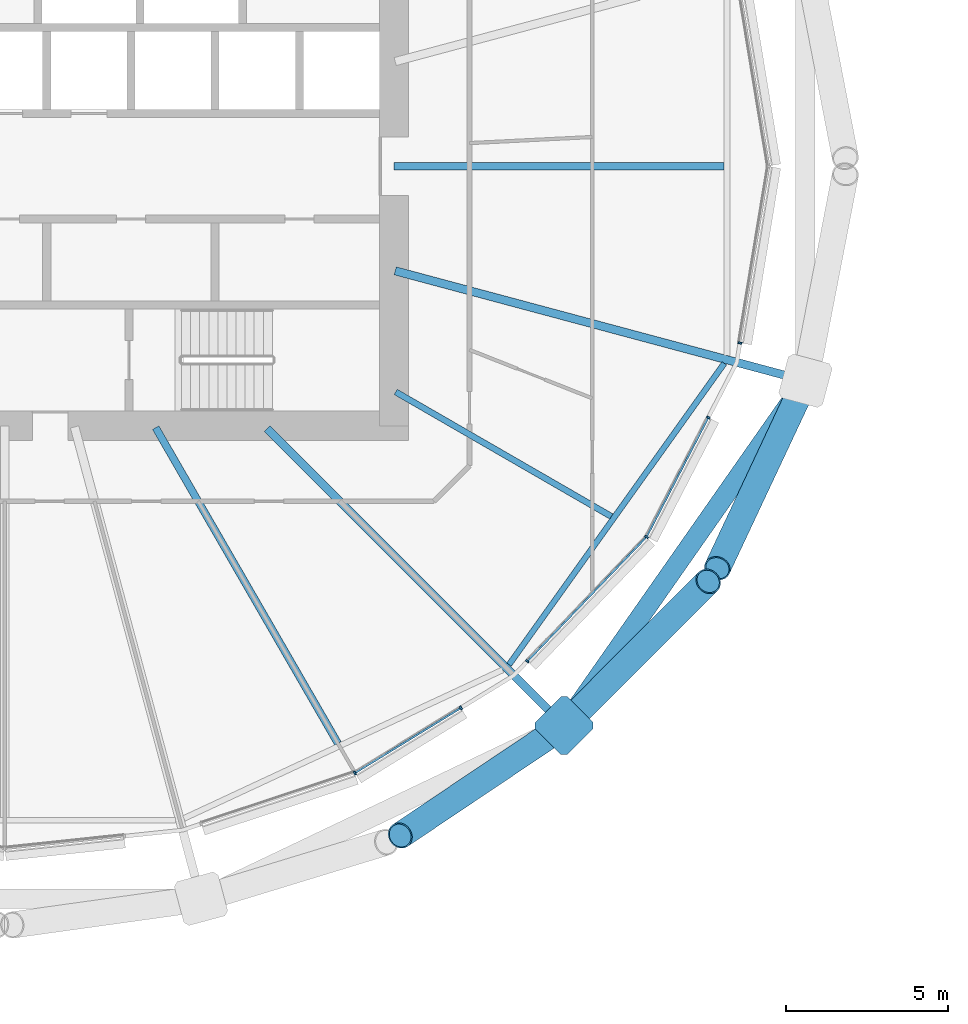
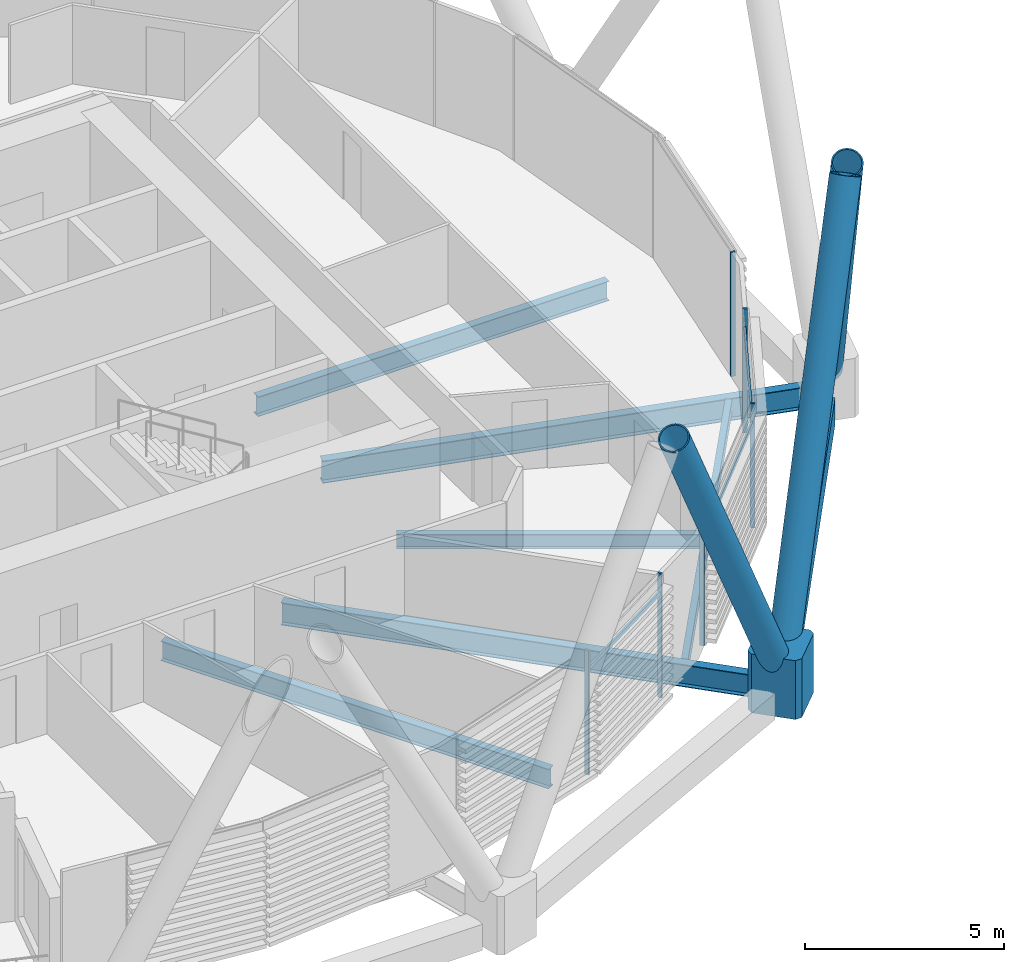
# One storey, part 6 of 36: 13 members, 7 beams, 1 element without a shape of its own.
"""IFC4 building model written with IfcOpenShell, lengths in metres."""

import ifcopenshell
import ifcopenshell.guid

model = None  # the IFC model being written
_history = None  # IfcOwnerHistory: only IFC2X3 demands one
_inside = {}  # id of a spatial element -> (the spatial element, [elements in it])
_under = {}  # id of a project, library or spatial element -> (it, [spatial elements below it])
_declared = {}  # id of a project -> (the project, [libraries it declares])
_typed = {}  # id of a type object -> (the type object, [elements of that type])
_made_of = {}  # id of a material, layer set ... -> (it, [elements and type objects made of it])


def new_model(schema):
    """Start an empty IFC model of exactly this schema.

    Asked for "IFC4X3", IfcOpenShell would pick the latest addendum, in which some entities
    have other attributes; the version numbers below select the first issue.
    IFC2X3 requires an IfcOwnerHistory on every rooted entity: one is made here for all.
    """
    global model, _history
    if schema == "IFC4X3":
        model = ifcopenshell.file(schema_version=(4, 3, 0, 0))
    else:
        model = ifcopenshell.file(schema=schema)
    _inside.clear()
    _under.clear()
    _declared.clear()
    _typed.clear()
    _made_of.clear()
    _history = None
    if model.schema == "IFC2X3":
        org = make("IfcOrganization", Name="unknown")
        user = make(
            "IfcPersonAndOrganization",
            ThePerson=make("IfcPerson", FamilyName="unknown"),
            TheOrganization=org,
        )
        app = make(
            "IfcApplication",
            ApplicationDeveloper=org,
            Version="unknown",
            ApplicationFullName="unknown",
            ApplicationIdentifier="unknown",
        )
        _history = make(
            "IfcOwnerHistory",
            OwningUser=user,
            OwningApplication=app,
            ChangeAction="ADDED",
            CreationDate=0,
        )
    return model


def make(cls, **values):
    """One entity of the class cls with the attributes given. An attribute that is None is left unset."""
    return model.create_entity(
        cls, **{name: value for name, value in values.items() if value is not None}
    )


def rooted(cls, **values):
    """An entity with a GlobalId (a new one), such as an element, a storey or a relation."""
    return make(cls, GlobalId=ifcopenshell.guid.new(), OwnerHistory=_history, **values)


def si_unit(unit_type, name, prefix=None):
    """IfcSIUnit, for example si_unit("LENGTHUNIT", "METRE", prefix="MILLI")."""
    return make("IfcSIUnit", UnitType=unit_type, Prefix=prefix, Name=name)


def assignment(units):
    """IfcUnitAssignment: the units of a project."""
    return None if units is None else make("IfcUnitAssignment", Units=units)


def point(xyz):
    """IfcCartesianPoint."""
    return None if xyz is None else make("IfcCartesianPoint", Coordinates=xyz)


def direction(xyz):
    """IfcDirection."""
    return None if xyz is None else make("IfcDirection", DirectionRatios=xyz)


def frame(location, z_axis=None, x_axis=None):
    """IfcAxis2Placement3D, a coordinate frame: its origin and axes. An axis left out is left unset."""
    return make(
        "IfcAxis2Placement3D",
        Location=point(location),
        Axis=direction(z_axis),
        RefDirection=direction(x_axis),
    )


def frame_2d(location, x_axis=None):
    """IfcAxis2Placement2D, a coordinate frame in the plane: its origin and x axis."""
    return make(
        "IfcAxis2Placement2D", Location=point(location), RefDirection=direction(x_axis)
    )


def origin():
    """The frame at (0, 0, 0) with its axes left unset."""
    return frame((0.0, 0.0, 0.0))


def origin_2d():
    """The frame at (0, 0) in the plane with its x axis left unset."""
    return frame_2d((0.0, 0.0))


def place(relative_to, where):
    """IfcLocalPlacement: puts the frame where relative to a parent placement (None: the world)."""
    return make(
        "IfcLocalPlacement", PlacementRelTo=relative_to, RelativePlacement=where
    )


def context(
    kind, dimensions, precision=None, world=None, true_north=None, identifier=None
):
    """IfcGeometricRepresentationContext, for example the 3D "Model" context."""
    return make(
        "IfcGeometricRepresentationContext",
        ContextIdentifier=identifier,
        ContextType=kind,
        CoordinateSpaceDimension=dimensions,
        Precision=precision,
        WorldCoordinateSystem=world,
        TrueNorth=true_north,
    )


def subcontext(parent, identifier, kind, view, scale=None):
    """IfcGeometricRepresentationSubContext, for example "Body" below "Model"."""
    return make(
        "IfcGeometricRepresentationSubContext",
        ContextIdentifier=identifier,
        ContextType=kind,
        ParentContext=parent,
        TargetScale=scale,
        TargetView=view,
    )


def project(units=None, contexts=None):
    """IfcProject with its units and contexts."""
    return rooted(
        "IfcProject",
        Name="project",
        RepresentationContexts=contexts,
        UnitsInContext=assignment(units),
    )


def spatial(cls, under=None, at=None, **own):
    """A site, building, storey or space (cls), placed at a placement, below another one or the project."""
    s = rooted(cls, ObjectPlacement=at, **own)
    if under is not None:
        _under.setdefault(under.id(), (under, []))[1].append(s)
    return s


def polyline(points):
    """IfcPolyline through the points."""
    return make("IfcPolyline", Points=[point(p) for p in points])


def profile(cls, at=None, kind="AREA", **sizes):
    """A parametric profile (cls). Its sizes go by their IFC names, for example OverallWidth=200.0."""
    return make(cls, ProfileType=kind, Position=at, **sizes)


def rectangle(**sizes):
    """IfcRectangleProfileDef."""
    return profile("IfcRectangleProfileDef", **sizes)


def hollow_rectangle(**sizes):
    """IfcRectangleHollowProfileDef."""
    return profile("IfcRectangleHollowProfileDef", **sizes)


def hollow_circle(**sizes):
    """IfcCircleHollowProfileDef."""
    return profile("IfcCircleHollowProfileDef", **sizes)


def i_section(**sizes):
    """IfcIShapeProfileDef."""
    return profile("IfcIShapeProfileDef", **sizes)


def outline(outer, holes=None, kind="AREA"):
    """IfcArbitraryClosedProfileDef: a profile drawn as a closed curve; with holes, ...WithVoids."""
    if holes is None:
        return make("IfcArbitraryClosedProfileDef", ProfileType=kind, OuterCurve=outer)
    return make(
        "IfcArbitraryProfileDefWithVoids",
        ProfileType=kind,
        OuterCurve=outer,
        InnerCurves=holes,
    )


def extrude(swept, where, along, depth):
    """IfcExtrudedAreaSolid: the profile swept, set in the frame where, extruded along a direction by depth."""
    return make(
        "IfcExtrudedAreaSolid",
        SweptArea=swept,
        Position=where,
        ExtrudedDirection=direction(along),
        Depth=depth,
    )


def shape(context_of_items, identifier, shape_type, items):
    """IfcShapeRepresentation: the items that make up one representation, for example the "Body"."""
    return make(
        "IfcShapeRepresentation",
        ContextOfItems=context_of_items,
        RepresentationIdentifier=identifier,
        RepresentationType=shape_type,
        Items=items,
    )


def material(Name=None, Category=None):
    """IfcMaterial."""
    return make("IfcMaterial", Name=Name, Category=Category)


def material_profile(
    of_material, cross_section, Name=None, Category=None, Priority=None
):
    """IfcMaterialProfile: a cross section and its material."""
    return make(
        "IfcMaterialProfile",
        Name=Name,
        Material=of_material,
        Profile=cross_section,
        Priority=Priority,
        Category=Category,
    )


def profile_set(profiles, Name=None, composite=None):
    """IfcMaterialProfileSet."""
    return make(
        "IfcMaterialProfileSet",
        Name=Name,
        MaterialProfiles=profiles,
        CompositeProfile=composite,
    )


def made_of(thing, what):
    """Note that an element or type object is made of a material, layer set ...; save() writes the relation."""
    if what is not None:
        _made_of.setdefault(what.id(), (what, []))[1].append(thing)
    return thing


def type_object(cls, material=None, **own):
    """A type object (cls), such as IfcWallType, which elements share."""
    return made_of(rooted(cls, **own), material)


def element(
    cls,
    number,
    at=None,
    inside=None,
    cuts=None,
    type_object=None,
    material=None,
    context=None,
    identifier="Body",
    shape_type=None,
    held_by="IfcProductDefinitionShape",
    body=None,
    shapes=None,
    **own,
):
    """One element of the class cls, such as IfcWall. Its Tag is "e" and its number.

    at: its placement. inside: the storey or other place that contains it. cuts: it is an
    opening in that element (IfcRelVoidsElement). A single representation is given by context,
    identifier, shape_type and body (its items); several are given by shapes. held_by: the class
    of the entity that holds the representations. save() writes the other relations.
    """
    e = rooted(cls, Tag="e%d" % number, ObjectPlacement=at, **own)
    if body is not None:
        shapes = [shape(context, identifier, shape_type, body)]
    if shapes is not None:
        e.Representation = make(held_by, Representations=shapes)
    if inside is not None:
        _inside.setdefault(inside.id(), (inside, []))[1].append(e)
    if cuts is not None:
        rooted(
            "IfcRelVoidsElement", RelatingBuildingElement=cuts, RelatedOpeningElement=e
        )
    if type_object is not None:
        _typed.setdefault(type_object.id(), (type_object, []))[1].append(e)
    return made_of(e, material)


def aggregate(whole, parts):
    """IfcRelAggregates: a whole, such as a stair, and the parts it consists of."""
    return rooted("IfcRelAggregates", RelatingObject=whole, RelatedObjects=parts)


def save(model, path):
    """Write the relations noted so far, then the file.

    IfcRelAggregates (storeys below a building ...), IfcRelContainedInSpatialStructure (elements
    in a storey), IfcRelDefinesByType, IfcRelAssociatesMaterial and IfcRelDeclares: one each for
    every whole, place, type object, material and project.
    """
    for whole, parts in _under.values():
        aggregate(whole, parts)
    for where, things in _inside.values():
        rooted(
            "IfcRelContainedInSpatialStructure",
            RelatedElements=things,
            RelatingStructure=where,
        )
    for kind, things in _typed.values():
        rooted("IfcRelDefinesByType", RelatedObjects=things, RelatingType=kind)
    for what, things in _made_of.values():
        rooted("IfcRelAssociatesMaterial", RelatedObjects=things, RelatingMaterial=what)
    for by, libraries in _declared.values():
        rooted("IfcRelDeclares", RelatingContext=by, RelatedDefinitions=libraries)
    model.write(path)


model = new_model("IFC4")

# Units and contexts
model_context = context("Model", 3, precision=1e-05, world=origin(), true_north=direction((0.0, 1.0)))
body_context = subcontext(model_context, "Body", "Model", "MODEL_VIEW")
ifc_project = project(units=[si_unit("LENGTHUNIT", "METRE"), si_unit("AREAUNIT", "SQUARE_METRE"), si_unit("VOLUMEUNIT", "CUBIC_METRE"), si_unit("PLANEANGLEUNIT", "RADIAN"), si_unit("MASSUNIT", "GRAM", prefix="KILO")], contexts=[model_context])

# Site, building, storey
site_placement = place(None, origin())
site = spatial("IfcSite", under=ifc_project, at=site_placement, CompositionType="ELEMENT")
building_placement = place(site_placement, origin())
building = spatial("IfcBuilding", under=site, at=building_placement, Name="Rimbun Link Towers", CompositionType="ELEMENT")
storey_placement = place(building_placement, frame((0.0, 0.0, 64.199951171875)))
storey = spatial("IfcBuildingStorey", under=building, at=storey_placement, Name="L15", CompositionType="ELEMENT", Elevation=64.199951171875)

# Curtain wall, members
ifc_material_1 = material(Name="Aluminium 6063-T6 and low-iron glass", Category="aluminium")
curtain_wall_type = type_object("IfcCurtainWallType", Name="CW1 unitised vision wall", PredefinedType="NOTDEFINED", material=ifc_material_1)
curtain_wall_placement = place(storey_placement, origin())
curtain_wall = element("IfcCurtainWall", 1, at=curtain_wall_placement, inside=storey, type_object=curtain_wall_type, Name="CW1 L15 T1", PredefinedType="NOTDEFINED")
ifc_material_2 = material(Name="Aluminium 6063-T6", Category="aluminium")
ifc_material_profile_1 = material_profile(ifc_material_2, rectangle(XDim=0.1201171875, YDim=0.06005859375, at=origin_2d()), Name="MULLION 60X120")
ifc_profile_set_1 = profile_set([ifc_material_profile_1], Name="Aluminium 6063-T6")
member_type_1 = type_object("IfcMemberType", Name="CW1 mullion 60X120", PredefinedType="MULLION", material=ifc_profile_set_1)
member_1_placement = place(storey_placement, frame((-20.959716796875, -18.699951171875, 0.0), z_axis=(0.0, 0.0, 1.0), x_axis=(0.421698890318, -0.906735929532, 0.0)))
member_1 = element("IfcMember", 2, at=member_1_placement, type_object=member_type_1, Name="CW1 mullion", PredefinedType="MULLION", context=body_context, shape_type="SweptSolid", body=[
    extrude(rectangle(XDim=0.1201171875, YDim=0.06005859375, at=origin_2d()), origin(), (0.0, 0.0, 1.0), 3.800048828125),
])
member_2_placement = place(storey_placement, frame((-17.690185546875, -16.69287109375, 0.0), z_axis=(0.0, 0.0, 1.0), x_axis=(0.523239240316, -0.852185835011, 0.0)))
member_2 = element("IfcMember", 3, at=member_2_placement, type_object=member_type_1, Name="CW1 mullion", PredefinedType="MULLION", context=body_context, shape_type="SweptSolid", body=[
    extrude(rectangle(XDim=0.1201171875, YDim=0.06005859375, at=origin_2d()), origin(), (0.0, 0.0, 1.0), 3.800048828125),
])
member_3_placement = place(storey_placement, frame((-11.972412109375, -11.42529296875, 0.0), z_axis=(0.0, 0.0, 1.0), x_axis=(0.813351214919, -0.581772980801, 0.0)))
member_3 = element("IfcMember", 4, at=member_3_placement, type_object=member_type_1, Name="CW1 mullion", PredefinedType="MULLION", context=body_context, shape_type="SweptSolid", body=[
    extrude(rectangle(XDim=0.1201171875, YDim=0.06005859375, at=origin_2d()), origin(), (0.0, 0.0, 1.0), 3.800048828125),
])
member_4_placement = place(storey_placement, frame((-15.643798828125, -15.256103515625, 0.0), z_axis=(0.0, 0.0, 1.0), x_axis=(0.721854427226, -0.692044930546, 0.0)))
member_4 = element("IfcMember", 5, at=member_4_placement, type_object=member_type_1, Name="CW1 mullion", PredefinedType="MULLION", context=body_context, shape_type="SweptSolid", body=[
    extrude(rectangle(XDim=0.1201171875, YDim=0.06005859375, at=origin_2d()), origin(), (0.0, 0.0, 1.0), 3.800048828125),
])
member_5_placement = place(storey_placement, frame((-10.067138671875, -7.74462890625, 0.0), z_axis=(0.0, 0.0, 1.0), x_axis=(0.888148629228, -0.45955632125, 0.0)))
member_5 = element("IfcMember", 6, at=member_5_placement, type_object=member_type_1, Name="CW1 mullion", PredefinedType="MULLION", context=body_context, shape_type="SweptSolid", body=[
    extrude(rectangle(XDim=0.1201171875, YDim=0.06005859375, at=origin_2d()), origin(), (0.0, 0.0, 1.0), 3.800048828125),
])
member_6_placement = place(storey_placement, frame((-9.090576171875, -5.447265625, 0.0), z_axis=(0.0, 0.0, 1.0), x_axis=(0.986748097792, -0.162259642251, 0.0)))
member_6 = element("IfcMember", 7, at=member_6_placement, type_object=member_type_1, Name="CW1 mullion", PredefinedType="MULLION", context=body_context, shape_type="SweptSolid", body=[
    extrude(rectangle(XDim=0.1201171875, YDim=0.06005859375, at=origin_2d()), origin(), (0.0, 0.0, 1.0), 3.800048828125),
])
ifc_material_3 = material(Name="Aluminium 6063-T6", Category="aluminium")
ifc_material_profile_2 = material_profile(ifc_material_3, rectangle(XDim=0.06005859375, YDim=0.1201171875, at=origin_2d()), Name="TRANSOM 60X120")
ifc_profile_set_2 = profile_set([ifc_material_profile_2], Name="Aluminium 6063-T6")
member_type_2 = type_object("IfcMemberType", Name="CW1 transom 60X120", PredefinedType="USERDEFINED", material=ifc_profile_set_2)
member_7_placement = place(storey_placement, frame((-17.716796875, -16.706787109375, 3.199951171875), z_axis=(-0.852184905229, -0.523240754624, 0.0), x_axis=(0.523240754624, -0.852184905229, 0.0)))
member_7 = element("IfcMember", 8, at=member_7_placement, type_object=member_type_2, Name="CW1 transom", ObjectType="TRANSOM", PredefinedType="USERDEFINED", context=body_context, shape_type="SweptSolid", body=[
    extrude(rectangle(XDim=0.06005859375, YDim=0.1201171875, at=origin_2d()), origin(), (0.0, 0.0, 1.0), 3.76953125),
])
member_8_placement = place(storey_placement, frame((-12.0, -11.452392578125, 3.199951171875), z_axis=(-0.692056205714, -0.721843617505, 0.0), x_axis=(0.721843617505, -0.692056205714, 0.0)))
member_8 = element("IfcMember", 9, at=member_8_placement, type_object=member_type_2, Name="CW1 transom", ObjectType="TRANSOM", PredefinedType="USERDEFINED", context=body_context, shape_type="SweptSolid", body=[
    extrude(rectangle(XDim=0.06005859375, YDim=0.1201171875, at=origin_2d()), origin(), (0.0, 0.0, 1.0), 5.2373046875),
])
member_9_placement = place(storey_placement, frame((-10.08251953125, -7.770263671875, 3.199951171875), z_axis=(-0.45955652042, -0.888148526171, 0.0), x_axis=(0.888148526171, -0.45955652042, 0.0)))
member_9 = element("IfcMember", 10, at=member_9_placement, type_object=member_type_2, Name="CW1 transom", ObjectType="TRANSOM", PredefinedType="USERDEFINED", context=body_context, shape_type="SweptSolid", body=[
    extrude(rectangle(XDim=0.06005859375, YDim=0.1201171875, at=origin_2d()), origin(), (0.0, 0.0, 1.0), 4.076416015625),
])
aggregate(curtain_wall, [member_1, member_2, member_3, member_4, member_5, member_6, member_7, member_8, member_9])

# Members
ifc_material_4 = material(Name="Steel S460NH", Category="steel")
ifc_material_profile_3 = material_profile(ifc_material_4, hollow_circle(Radius=0.406494140625, WallThickness=0.0400390625, at=origin_2d()), Name="Diagrid diagonal CHS 813x40")
ifc_profile_set_3 = profile_set([ifc_material_profile_3], Name="Steel S460NH")
member_type_3 = type_object("IfcMemberType", Name="Diagrid diagonal CHS 813x40", PredefinedType="BRACE", material=ifc_profile_set_3)
member_10_placement = place(storey_placement, frame((-14.712890625, -17.37353515625, 0.437255859375), z_axis=(-0.402836641157, -0.270288559492, 0.874452248639), x_axis=(0.55716779245, -0.830399934403, 0.0)))
element("IfcMember", 11, at=member_10_placement, inside=storey, type_object=member_type_3, Name="Diagrid diagonal T1 L15-L18 21a", PredefinedType="BRACE", context=body_context, shape_type="SweptSolid", body=[
    extrude(hollow_circle(Radius=0.406494140625, WallThickness=0.0400390625, at=origin_2d()), origin(), (0.0, 0.0, 1.0), 12.036865234375),
])
member_11_placement = place(storey_placement, frame((-14.335693359375, -17.062744140625, 0.433837890625), z_axis=(0.351368113295, 0.351669803146, 0.867680124536), x_axis=(-0.707410151948, 0.706803280214, 0.0)))
element("IfcMember", 12, at=member_11_placement, inside=storey, type_object=member_type_3, Name="Diagrid diagonal T1 L15-L18 21b", PredefinedType="BRACE", context=body_context, shape_type="SweptSolid", body=[
    extrude(hollow_circle(Radius=0.406494140625, WallThickness=0.0400390625, at=origin_2d()), origin(), (0.0, 0.0, 1.0), 12.138671875),
])
member_12_placement = place(storey_placement, frame((-7.180908203125, -6.839599609375, 0.43212890625), z_axis=(-0.213846772406, -0.455330606614, 0.864258987001), x_axis=(0.905145044883, -0.425102867226, 0.0)))
element("IfcMember", 13, at=member_12_placement, inside=storey, type_object=member_type_3, Name="Diagrid diagonal T1 L15-L18 23a", PredefinedType="BRACE", context=body_context, shape_type="SweptSolid", body=[
    extrude(hollow_circle(Radius=0.406494140625, WallThickness=0.0400390625, at=origin_2d()), origin(), (0.0, 0.0, 1.0), 12.190673828125),
])
ifc_material_5 = material(Name="Cast steel G20Mn5+QT, Rp0.2 300 MPa", Category="steel")
ifc_material_profile_4 = material_profile(ifc_material_5, outline(polyline([(0.699951171875, -0.570068359375), (0.699951171875, 0.570068359375), (0.570068359375, 0.699951171875), (-0.570068359375, 0.699951171875), (-0.699951171875, 0.570068359375), (-0.699951171875, -0.570068359375), (-0.570068359375, -0.699951171875), (0.570068359375, -0.699951171875), (0.699951171875, -0.570068359375)])), Name="NODE 1400x1400")
ifc_profile_set_4 = profile_set([ifc_material_profile_4], Name="Cast steel G20Mn5+QT, Rp0.2 300 MPa")
member_type_4 = type_object("IfcMemberType", Name="Diagrid node cast 1400", PredefinedType="USERDEFINED", material=ifc_profile_set_4)
member_13_placement = place(storey_placement, frame((-14.511474609375, -17.238525390625, -0.89990234375), z_axis=(0.0, 0.0, 1.0), x_axis=(0.707106781187, -0.707106781187, 0.0)))
element("IfcMember", 14, at=member_13_placement, inside=storey, type_object=member_type_4, Name="Diagrid node L15 21", ObjectType="Diagrid node", PredefinedType="USERDEFINED", context=body_context, shape_type="SweptSolid", body=[
    extrude(outline(polyline([(0.699951171875, -0.570068359375), (0.699951171875, 0.570068359375), (0.570068359375, 0.699951171875), (-0.570068359375, 0.699951171875), (-0.699951171875, 0.570068359375), (-0.699951171875, -0.570068359375), (-0.570068359375, -0.699951171875), (0.570068359375, -0.699951171875), (0.699951171875, -0.570068359375)])), origin(), (0.0, 0.0, 1.0), 1.800048828125),
])

# Beams
ifc_material_6 = material(Name="Steel S355J2", Category="steel")
ifc_material_profile_5 = material_profile(ifc_material_6, hollow_rectangle(XDim=0.60009765625, YDim=0.800048828125, WallThickness=0.0400390625, at=origin_2d()), Name="Exoskeleton ring girder BOX 600x800x40")
ifc_profile_set_5 = profile_set([ifc_material_profile_5], Name="Steel S355J2")
beam_type_1 = type_object("IfcBeamType", Name="Exoskeleton ring girder BOX 600x800x40", PredefinedType="BEAM", material=ifc_profile_set_5)
beam_1_placement = place(storey_placement, frame((-14.110107421875, -16.6650390625, -0.56005859375), z_axis=(0.573401451452, 0.819274542185, 0.0), x_axis=(-0.819274542185, 0.573401451452, 0.0)))
element("IfcBeam", 15, at=beam_1_placement, inside=storey, type_object=beam_type_1, Name="Exoskeleton ring girder L15 08", PredefinedType="BEAM", context=body_context, shape_type="SweptSolid", body=[
    extrude(hollow_rectangle(XDim=0.60009765625, YDim=0.800048828125, WallThickness=0.0400390625, at=origin_2d()), origin(), (0.0, 0.0, 1.0), 11.57080078125),
])
ifc_material_7 = material(Name="Steel S355J2", Category="steel")
ifc_material_profile_6 = material_profile(ifc_material_7, i_section(OverallWidth=0.177978515625, OverallDepth=0.406494140625, WebThickness=0.0078125, FlangeThickness=0.0126953125, at=origin_2d()), Name="UB 406x178x60")
ifc_profile_set_6 = profile_set([ifc_material_profile_6], Name="Steel S355J2")
beam_type_2 = type_object("IfcBeamType", Name="UB 406x178x60", PredefinedType="BEAM", material=ifc_profile_set_6)
beam_2_placement = place(storey_placement, frame((-16.208740234375, -15.3603515625, -0.363037109375), z_axis=(0.581367694083, 0.813640955383, 0.0), x_axis=(-0.813640955383, 0.581367694083, 0.0)))
element("IfcBeam", 16, at=beam_2_placement, inside=storey, type_object=beam_type_2, Name="Edge beam T1 L15 21-23", PredefinedType="BEAM", context=body_context, shape_type="SweptSolid", body=[
    extrude(i_section(OverallWidth=0.177978515625, OverallDepth=0.406494140625, WebThickness=0.0078125, FlangeThickness=0.0126953125, at=origin_2d()), origin(), (0.0, 0.0, 1.0), 11.412841796875),
])
ifc_material_8 = material(Name="Steel S355J2", Category="steel")
ifc_material_profile_7 = material_profile(ifc_material_8, i_section(OverallWidth=0.18994140625, OverallDepth=0.453369140625, WebThickness=0.008544921875, FlangeThickness=0.0126953125, at=origin_2d()), Name="UB 457x191x67")
ifc_profile_set_7 = profile_set([ifc_material_profile_7], Name="Steel S355J2")
beam_type_3 = type_object("IfcBeamType", Name="UB 457x191x67", PredefinedType="BEAM", material=ifc_profile_set_7)
beam_3_placement = place(storey_placement, frame((-19.70166015625, -6.9560546875, -0.38671875), z_axis=(0.866012339475, -0.500022627366, 0.0), x_axis=(0.500022627366, 0.866012339475, 0.0)))
element("IfcBeam", 17, at=beam_3_placement, inside=storey, type_object=beam_type_3, Name="Radial beam T1 L15 22", PredefinedType="BEAM", context=body_context, shape_type="SweptSolid", body=[
    extrude(i_section(OverallWidth=0.18994140625, OverallDepth=0.453369140625, WebThickness=0.008544921875, FlangeThickness=0.0126953125, at=origin_2d()), origin(), (0.0, 0.0, 1.0), 7.674072265625),
])
ifc_material_9 = material(Name="Steel S355J2", Category="steel")
ifc_material_profile_8 = material_profile(ifc_material_9, i_section(OverallWidth=0.2275390625, OverallDepth=0.6025390625, WebThickness=0.010498046875, FlangeThickness=0.014892578125, at=origin_2d()), Name="UB 610x229x101")
ifc_profile_set_8 = profile_set([ifc_material_profile_8], Name="Steel S355J2")
beam_type_4 = type_object("IfcBeamType", Name="UB 610x229x101", PredefinedType="BEAM", material=ifc_profile_set_8)
beam_4_placement = place(storey_placement, frame((-19.7490234375, 0.0, -0.461181640625), z_axis=(1.0, 0.0, 0.0), x_axis=(0.0, 1.0, 0.0)))
element("IfcBeam", 18, at=beam_4_placement, inside=storey, type_object=beam_type_4, Name="Radial beam T1 L15 00", PredefinedType="BEAM", context=body_context, shape_type="SweptSolid", body=[
    extrude(i_section(OverallWidth=0.2275390625, OverallDepth=0.6025390625, WebThickness=0.010498046875, FlangeThickness=0.014892578125, at=origin_2d()), origin(), (0.0, 0.0, 1.0), 10.16455078125),
])
beam_5_placement = place(storey_placement, frame((-27.097900390625, -8.057861328125, -0.461181640625), z_axis=(0.50001148964, -0.866018770136, 0.0), x_axis=(0.866018770136, 0.50001148964, 0.0)))
element("IfcBeam", 19, at=beam_5_placement, inside=storey, type_object=beam_type_4, Name="Radial beam T1 L15 20", PredefinedType="BEAM", context=body_context, shape_type="SweptSolid", body=[
    extrude(i_section(OverallWidth=0.2275390625, OverallDepth=0.6025390625, WebThickness=0.010498046875, FlangeThickness=0.014892578125, at=origin_2d()), origin(), (0.0, 0.0, 1.0), 11.235595703125),
])
ifc_material_10 = material(Name="Steel S355J2", Category="steel")
ifc_material_profile_9 = material_profile(ifc_material_10, i_section(OverallWidth=0.253662109375, OverallDepth=0.68359375, WebThickness=0.012451171875, FlangeThickness=0.01904296875, at=origin_2d()), Name="UB 686x254x140")
ifc_profile_set_9 = profile_set([ifc_material_profile_9], Name="Steel S355J2")
beam_type_5 = type_object("IfcBeamType", Name="UB 686x254x140", PredefinedType="BEAM", material=ifc_profile_set_9)
beam_6_placement = place(storey_placement, frame((-23.65966796875, -8.09033203125, -0.501708984375), z_axis=(0.707106781187, -0.707106781187, 0.0), x_axis=(0.707106781187, 0.707106781187, 0.0)))
element("IfcBeam", 20, at=beam_6_placement, inside=storey, type_object=beam_type_5, Name="Radial beam T1 L15 21", PredefinedType="BEAM", context=body_context, shape_type="SweptSolid", body=[
    extrude(i_section(OverallWidth=0.253662109375, OverallDepth=0.68359375, WebThickness=0.012451171875, FlangeThickness=0.01904296875, at=origin_2d()), origin(), (0.0, 0.0, 1.0), 12.4375),
])
beam_7_placement = place(storey_placement, frame((-19.71630859375, -3.224365234375, -0.501708984375), z_axis=(0.965926842192, -0.25881525367, 0.0), x_axis=(0.25881525367, 0.965926842192, 0.0)))
element("IfcBeam", 21, at=beam_7_placement, inside=storey, type_object=beam_type_5, Name="Radial beam T1 L15 23", PredefinedType="BEAM", context=body_context, shape_type="SweptSolid", body=[
    extrude(i_section(OverallWidth=0.253662109375, OverallDepth=0.68359375, WebThickness=0.012451171875, FlangeThickness=0.01904296875, at=origin_2d()), origin(), (0.0, 0.0, 1.0), 12.58837890625),
])

save(model, "model.ifc")
